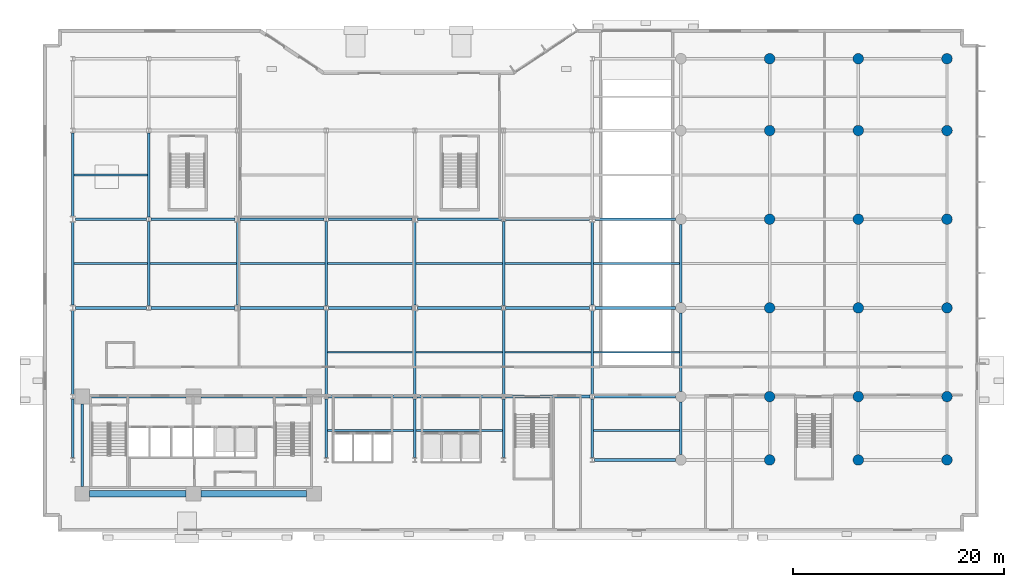
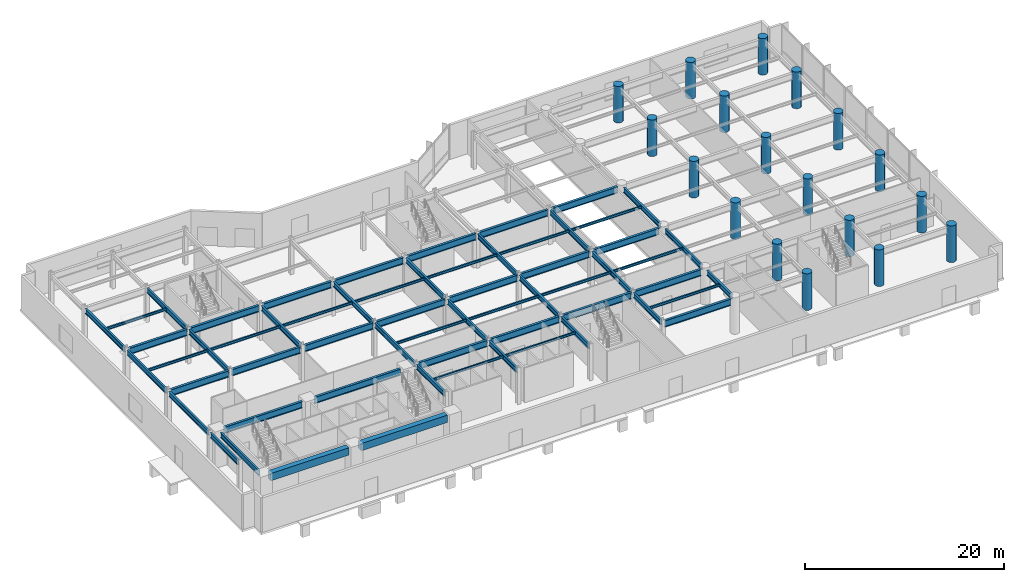
# One storey, part 4 of 26: 61 beams, 18 columns.
"""IFC4 building model written with IfcOpenShell, lengths in metres."""

from ifc_helpers import new_model, si_unit, direction, frame, origin, origin_2d, place, context, subcontext, project, spatial, rectangle, circle, i_section, extrude, material, material_profile, profile_set, type_object, element, save


model = new_model("IFC4")

# Units and contexts
model_context = context("Model", 3, precision=1e-05, world=origin(), true_north=direction((0.0, 1.0)))
body_context = subcontext(model_context, "Body", "Model", "MODEL_VIEW")
ifc_project = project(units=[si_unit("LENGTHUNIT", "METRE"), si_unit("AREAUNIT", "SQUARE_METRE"), si_unit("VOLUMEUNIT", "CUBIC_METRE"), si_unit("PLANEANGLEUNIT", "RADIAN"), si_unit("MASSUNIT", "GRAM", prefix="KILO")], contexts=[model_context])

# Site, building, storey
site_placement = place(None, origin())
site = spatial("IfcSite", under=ifc_project, at=site_placement, CompositionType="ELEMENT")
building_placement = place(site_placement, origin())
building = spatial("IfcBuilding", under=site, at=building_placement, Name="Varnakote Quay Hospital", CompositionType="ELEMENT")
storey_placement = place(building_placement, origin())
storey = spatial("IfcBuildingStorey", under=building, at=storey_placement, Name="L00", CompositionType="ELEMENT", Elevation=0.0)

# Columns
ifc_material_1 = material(Name="Concrete N65 (f'c 65 MPa)", Category="concrete")
ifc_material_profile_1 = material_profile(ifc_material_1, circle(Radius=0.5, at=origin_2d()), Name="RC-COL-D1000")
ifc_profile_set_1 = profile_set([ifc_material_profile_1], Name="Concrete N65 (f'c 65 MPa)")
column_type = type_object("IfcColumnType", Name="COL-RC-D1000", PredefinedType="COLUMN", material=ifc_profile_set_1)
for number, where, z_axis, x_axis, name in (
    (1, (67.199951171875, 6.0, 0.0), (0.0, 0.0, 1.0), (1.0, 0.0, 0.0), "L00 Structural Column C-67-6"),
    (2, (75.60009765625, 6.0, 0.0), (0.0, 0.0, 1.0), (1.0, 0.0, 0.0), "L00 Structural Column C-76-6"),
    (3, (84.0, 6.0, 0.0), (0.0, 0.0, 1.0), (1.0, 0.0, 0.0), "L00 Structural Column C-84-6"),
    (4, (67.199951171875, 12.0, 0.0), (0.0, 0.0, 1.0), (1.0, 0.0, 0.0), "L00 Structural Column C-67-12"),
    (5, (75.60009765625, 12.0, 0.0), (0.0, 0.0, 1.0), (1.0, 0.0, 0.0), "L00 Structural Column C-76-12"),
    (6, (84.0, 12.0, 0.0), (0.0, 0.0, 1.0), (1.0, 0.0, 0.0), "L00 Structural Column C-84-12"),
    (7, (67.199951171875, 20.39990234375, 0.0), (0.0, 0.0, 1.0), (1.0, 0.0, 0.0), "L00 Structural Column C-67-20"),
    (8, (75.60009765625, 20.39990234375, 0.0), (0.0, 0.0, 1.0), (1.0, 0.0, 0.0), "L00 Structural Column C-76-20"),
    (9, (84.0, 20.39990234375, 0.0), (0.0, 0.0, 1.0), (1.0, 0.0, 0.0), "L00 Structural Column C-84-20"),
    (10, (67.199951171875, 28.800048828125, 0.0), (0.0, 0.0, 1.0), (1.0, 0.0, 0.0), "L00 Structural Column C-67-29"),
    (11, (75.60009765625, 28.800048828125, 0.0), (0.0, 0.0, 1.0), (1.0, 0.0, 0.0), "L00 Structural Column C-76-29"),
    (12, (84.0, 28.800048828125, 0.0), (0.0, 0.0, 1.0), (1.0, 0.0, 0.0), "L00 Structural Column C-84-29"),
    (13, (67.199951171875, 37.199951171875, 0.0), (0.0, 0.0, 1.0), (1.0, 0.0, 0.0), "L00 Structural Column C-67-37"),
    (14, (75.60009765625, 37.199951171875, 0.0), (0.0, 0.0, 1.0), (1.0, 0.0, 0.0), "L00 Structural Column C-76-37"),
    (15, (84.0, 37.199951171875, 0.0), (0.0, 0.0, 1.0), (1.0, 0.0, 0.0), "L00 Structural Column C-84-37"),
    (16, (67.199951171875, 44.0, 0.0), (0.0, 0.0, 1.0), (1.0, 0.0, 0.0), "L00 Structural Column C-67-44"),
    (17, (75.60009765625, 44.0, 0.0), (0.0, 0.0, 1.0), (1.0, 0.0, 0.0), "L00 Structural Column C-76-44"),
    (18, (84.0, 44.0, 0.0), (0.0, 0.0, 1.0), (1.0, 0.0, 0.0), "L00 Structural Column C-84-44"),
):
    element("IfcColumn", number, at=place(storey_placement, frame(where, z_axis=z_axis, x_axis=x_axis)), inside=storey, type_object=column_type, Name=name, PredefinedType="COLUMN", context=body_context, shape_type="SweptSolid", body=[
        extrude(circle(Radius=0.5, at=origin_2d()), origin(), (0.0, 0.0, 1.0), 4.5),
    ])

# Beams
ifc_material_2 = material(Name="Concrete N65 (f'c 65 MPa)", Category="concrete")
ifc_material_profile_2 = material_profile(ifc_material_2, rectangle(XDim=0.60009765625, YDim=0.89990234375, at=origin_2d()), Name="RC-BM-600x900")
ifc_profile_set_2 = profile_set([ifc_material_profile_2], Name="Concrete N65 (f'c 65 MPa)")
beam_type_1 = type_object("IfcBeamType", Name="BM-RC-600x900", PredefinedType="BEAM", material=ifc_profile_set_2)
beam_1_placement = place(storey_placement, frame((2.800048828125, 2.800048828125, 3.800048828125), z_axis=(1.0, 0.0, 0.0), x_axis=(0.0, 1.0, 0.0)))
element("IfcBeam", 19, at=beam_1_placement, inside=storey, type_object=beam_type_1, Name="L00 Core Rear Coupling Beam", PredefinedType="BEAM", context=body_context, shape_type="SweptSolid", body=[
    extrude(rectangle(XDim=0.60009765625, YDim=0.89990234375, at=origin_2d()), origin(), (0.0, 0.0, 1.0), 9.119873046875),
])
beam_2_placement = place(storey_placement, frame((13.320068359375, 2.800048828125, 3.800048828125), z_axis=(1.0, 0.0, 0.0), x_axis=(0.0, 1.0, 0.0)))
element("IfcBeam", 20, at=beam_2_placement, inside=storey, type_object=beam_type_1, Name="L00 Core Rear Coupling Beam", PredefinedType="BEAM", context=body_context, shape_type="SweptSolid", body=[
    extrude(rectangle(XDim=0.60009765625, YDim=0.89990234375, at=origin_2d()), origin(), (0.0, 0.0, 1.0), 10.030029296875),
])
ifc_material_3 = material(Name="Structural steel AS/NZS 3679.1 Grade 350 L0 (fy 340 MPa)", Category="steel")
ifc_material_profile_3 = material_profile(ifc_material_3, i_section(OverallWidth=0.22802734375, OverallDepth=0.60205078125, WebThickness=0.010498046875, FlangeThickness=0.014892578125, FilletRadius=0.013916015625, at=origin_2d()), Name="610UB101")
ifc_profile_set_3 = profile_set([ifc_material_profile_3], Name="Structural steel AS/NZS 3679.1 Grade 350 L0 (fy 340 MPa)")
beam_type_2 = type_object("IfcBeamType", Name="BM-STL-610UB101", PredefinedType="BEAM", material=ifc_profile_set_3)
beam_3_placement = place(storey_placement, frame((1.199951171875, 6.2099609375, 3.948974609375), z_axis=(0.0, 1.0, 0.0), x_axis=(-1.0, 0.0, 0.0)))
element("IfcBeam", 21, at=beam_3_placement, inside=storey, type_object=beam_type_2, Name="L00 Primary Tie Beam", PredefinedType="BEAM", context=body_context, shape_type="SweptSolid", body=[
    extrude(i_section(OverallWidth=0.22802734375, OverallDepth=0.60205078125, WebThickness=0.010498046875, FlangeThickness=0.014892578125, FilletRadius=0.013916015625, at=origin_2d()), origin(), (0.0, 0.0, 1.0), 5.580078125),
])
beam_4_placement = place(storey_placement, frame((1.199951171875, 12.2099609375, 3.948974609375), z_axis=(0.0, 1.0, 0.0), x_axis=(-1.0, 0.0, 0.0)))
element("IfcBeam", 22, at=beam_4_placement, inside=storey, type_object=beam_type_2, Name="L00 Primary Tie Beam", PredefinedType="BEAM", context=body_context, shape_type="SweptSolid", body=[
    extrude(i_section(OverallWidth=0.22802734375, OverallDepth=0.60205078125, WebThickness=0.010498046875, FlangeThickness=0.014892578125, FilletRadius=0.013916015625, at=origin_2d()), origin(), (0.0, 0.0, 1.0), 7.925048828125),
])
beam_5_placement = place(storey_placement, frame((1.199951171875, 20.6650390625, 3.948974609375), z_axis=(0.0, 1.0, 0.0), x_axis=(-1.0, 0.0, 0.0)))
element("IfcBeam", 23, at=beam_5_placement, inside=storey, type_object=beam_type_2, Name="L00 Primary Tie Beam", PredefinedType="BEAM", context=body_context, shape_type="SweptSolid", body=[
    extrude(i_section(OverallWidth=0.22802734375, OverallDepth=0.60205078125, WebThickness=0.010498046875, FlangeThickness=0.014892578125, FilletRadius=0.013916015625, at=origin_2d()), origin(), (0.0, 0.0, 1.0), 7.869873046875),
])
beam_6_placement = place(storey_placement, frame((1.199951171875, 29.06494140625, 3.948974609375), z_axis=(0.0, 1.0, 0.0), x_axis=(-1.0, 0.0, 0.0)))
element("IfcBeam", 24, at=beam_6_placement, inside=storey, type_object=beam_type_2, Name="L00 Primary Tie Beam", PredefinedType="BEAM", context=body_context, shape_type="SweptSolid", body=[
    extrude(i_section(OverallWidth=0.22802734375, OverallDepth=0.60205078125, WebThickness=0.010498046875, FlangeThickness=0.014892578125, FilletRadius=0.013916015625, at=origin_2d()), origin(), (0.0, 0.0, 1.0), 7.925048828125),
])
beam_7_placement = place(storey_placement, frame((2.10009765625, 3.5, 3.948974609375), z_axis=(0.0, 1.0, 0.0), x_axis=(-1.0, 0.0, 0.0)))
element("IfcBeam", 25, at=beam_7_placement, inside=storey, type_object=beam_type_2, Name="L00 Primary Tie Beam", PredefinedType="BEAM", context=body_context, shape_type="SweptSolid", body=[
    extrude(i_section(OverallWidth=0.22802734375, OverallDepth=0.60205078125, WebThickness=0.010498046875, FlangeThickness=0.014892578125, FilletRadius=0.013916015625, at=origin_2d()), origin(), (0.0, 0.0, 1.0), 7.800048828125),
])
for number, where, z_axis, x_axis, name in (
    (26, (8.39990234375, 20.610107421875, 3.948974609375), (0.0, 1.0, 0.0), (-1.0, 0.0, 0.0), "L00 Primary Tie Beam"),
    (27, (8.39990234375, 29.010009765625, 3.948974609375), (0.0, 1.0, 0.0), (-1.0, 0.0, 0.0), "L00 Primary Tie Beam"),
):
    element("IfcBeam", number, at=place(storey_placement, frame(where, z_axis=z_axis, x_axis=x_axis)), inside=storey, type_object=beam_type_2, Name=name, PredefinedType="BEAM", context=body_context, shape_type="SweptSolid", body=[
        extrude(i_section(OverallWidth=0.22802734375, OverallDepth=0.60205078125, WebThickness=0.010498046875, FlangeThickness=0.014892578125, FilletRadius=0.013916015625, at=origin_2d()), origin(), (0.0, 0.0, 1.0), 7.97998046875),
    ])
beam_8_placement = place(storey_placement, frame((16.800048828125, 20.6650390625, 3.948974609375), z_axis=(0.0, 1.0, 0.0), x_axis=(-1.0, 0.0, 0.0)))
element("IfcBeam", 28, at=beam_8_placement, inside=storey, type_object=beam_type_2, Name="L00 Primary Tie Beam", PredefinedType="BEAM", context=body_context, shape_type="SweptSolid", body=[
    extrude(i_section(OverallWidth=0.22802734375, OverallDepth=0.60205078125, WebThickness=0.010498046875, FlangeThickness=0.014892578125, FilletRadius=0.013916015625, at=origin_2d()), origin(), (0.0, 0.0, 1.0), 7.869873046875),
])
beam_9_placement = place(storey_placement, frame((25.199951171875, 6.2099609375, 3.948974609375), z_axis=(0.0, 1.0, 0.0), x_axis=(-1.0, 0.0, 0.0)))
element("IfcBeam", 29, at=beam_9_placement, inside=storey, type_object=beam_type_2, Name="L00 Primary Tie Beam", PredefinedType="BEAM", context=body_context, shape_type="SweptSolid", body=[
    extrude(i_section(OverallWidth=0.22802734375, OverallDepth=0.60205078125, WebThickness=0.010498046875, FlangeThickness=0.014892578125, FilletRadius=0.013916015625, at=origin_2d()), origin(), (0.0, 0.0, 1.0), 5.580078125),
])
for number, where, z_axis, x_axis, name in (
    (30, (25.199951171875, 12.2099609375, 3.948974609375), (0.0, 1.0, 0.0), (-1.0, 0.0, 0.0), "L00 Primary Tie Beam"),
    (31, (25.199951171875, 20.610107421875, 3.948974609375), (0.0, 1.0, 0.0), (-1.0, 0.0, 0.0), "L00 Primary Tie Beam"),
):
    element("IfcBeam", number, at=place(storey_placement, frame(where, z_axis=z_axis, x_axis=x_axis)), inside=storey, type_object=beam_type_2, Name=name, PredefinedType="BEAM", context=body_context, shape_type="SweptSolid", body=[
        extrude(i_section(OverallWidth=0.22802734375, OverallDepth=0.60205078125, WebThickness=0.010498046875, FlangeThickness=0.014892578125, FilletRadius=0.013916015625, at=origin_2d()), origin(), (0.0, 0.0, 1.0), 7.97998046875),
    ])
beam_10_placement = place(storey_placement, frame((33.60009765625, 6.2099609375, 3.948974609375), z_axis=(0.0, 1.0, 0.0), x_axis=(-1.0, 0.0, 0.0)))
element("IfcBeam", 32, at=beam_10_placement, inside=storey, type_object=beam_type_2, Name="L00 Primary Tie Beam", PredefinedType="BEAM", context=body_context, shape_type="SweptSolid", body=[
    extrude(i_section(OverallWidth=0.22802734375, OverallDepth=0.60205078125, WebThickness=0.010498046875, FlangeThickness=0.014892578125, FilletRadius=0.013916015625, at=origin_2d()), origin(), (0.0, 0.0, 1.0), 5.580078125),
])
beam_11_placement = place(storey_placement, frame((33.60009765625, 12.2099609375, 3.948974609375), z_axis=(0.0, 1.0, 0.0), x_axis=(-1.0, 0.0, 0.0)))
element("IfcBeam", 33, at=beam_11_placement, inside=storey, type_object=beam_type_2, Name="L00 Primary Tie Beam", PredefinedType="BEAM", context=body_context, shape_type="SweptSolid", body=[
    extrude(i_section(OverallWidth=0.22802734375, OverallDepth=0.60205078125, WebThickness=0.010498046875, FlangeThickness=0.014892578125, FilletRadius=0.013916015625, at=origin_2d()), origin(), (0.0, 0.0, 1.0), 7.925048828125),
])
beam_12_placement = place(storey_placement, frame((33.60009765625, 20.6650390625, 3.948974609375), z_axis=(0.0, 1.0, 0.0), x_axis=(-1.0, 0.0, 0.0)))
element("IfcBeam", 34, at=beam_12_placement, inside=storey, type_object=beam_type_2, Name="L00 Primary Tie Beam", PredefinedType="BEAM", context=body_context, shape_type="SweptSolid", body=[
    extrude(i_section(OverallWidth=0.22802734375, OverallDepth=0.60205078125, WebThickness=0.010498046875, FlangeThickness=0.014892578125, FilletRadius=0.013916015625, at=origin_2d()), origin(), (0.0, 0.0, 1.0), 7.869873046875),
])
beam_13_placement = place(storey_placement, frame((42.0, 6.2099609375, 3.948974609375), z_axis=(0.0, 1.0, 0.0), x_axis=(-1.0, 0.0, 0.0)))
element("IfcBeam", 35, at=beam_13_placement, inside=storey, type_object=beam_type_2, Name="L00 Primary Tie Beam", PredefinedType="BEAM", context=body_context, shape_type="SweptSolid", body=[
    extrude(i_section(OverallWidth=0.22802734375, OverallDepth=0.60205078125, WebThickness=0.010498046875, FlangeThickness=0.014892578125, FilletRadius=0.013916015625, at=origin_2d()), origin(), (0.0, 0.0, 1.0), 5.580078125),
])
for number, where, z_axis, x_axis, name in (
    (36, (42.0, 12.2099609375, 3.948974609375), (0.0, 1.0, 0.0), (-1.0, 0.0, 0.0), "L00 Primary Tie Beam"),
    (37, (42.0, 20.610107421875, 3.948974609375), (0.0, 1.0, 0.0), (-1.0, 0.0, 0.0), "L00 Primary Tie Beam"),
):
    element("IfcBeam", number, at=place(storey_placement, frame(where, z_axis=z_axis, x_axis=x_axis)), inside=storey, type_object=beam_type_2, Name=name, PredefinedType="BEAM", context=body_context, shape_type="SweptSolid", body=[
        extrude(i_section(OverallWidth=0.22802734375, OverallDepth=0.60205078125, WebThickness=0.010498046875, FlangeThickness=0.014892578125, FilletRadius=0.013916015625, at=origin_2d()), origin(), (0.0, 0.0, 1.0), 7.97998046875),
    ])
beam_14_placement = place(storey_placement, frame((50.39990234375, 6.2099609375, 3.948974609375), z_axis=(0.0, 1.0, 0.0), x_axis=(-1.0, 0.0, 0.0)))
element("IfcBeam", 38, at=beam_14_placement, inside=storey, type_object=beam_type_2, Name="L00 Primary Tie Beam", PredefinedType="BEAM", context=body_context, shape_type="SweptSolid", body=[
    extrude(i_section(OverallWidth=0.22802734375, OverallDepth=0.60205078125, WebThickness=0.010498046875, FlangeThickness=0.014892578125, FilletRadius=0.013916015625, at=origin_2d()), origin(), (0.0, 0.0, 1.0), 5.580078125),
])
beam_15_placement = place(storey_placement, frame((50.39990234375, 12.2099609375, 3.948974609375), z_axis=(0.0, 1.0, 0.0), x_axis=(-1.0, 0.0, 0.0)))
element("IfcBeam", 39, at=beam_15_placement, inside=storey, type_object=beam_type_2, Name="L00 Primary Tie Beam", PredefinedType="BEAM", context=body_context, shape_type="SweptSolid", body=[
    extrude(i_section(OverallWidth=0.22802734375, OverallDepth=0.60205078125, WebThickness=0.010498046875, FlangeThickness=0.014892578125, FilletRadius=0.013916015625, at=origin_2d()), origin(), (0.0, 0.0, 1.0), 7.925048828125),
])
beam_16_placement = place(storey_placement, frame((50.39990234375, 20.6650390625, 3.948974609375), z_axis=(0.0, 1.0, 0.0), x_axis=(-1.0, 0.0, 0.0)))
element("IfcBeam", 40, at=beam_16_placement, inside=storey, type_object=beam_type_2, Name="L00 Primary Tie Beam", PredefinedType="BEAM", context=body_context, shape_type="SweptSolid", body=[
    extrude(i_section(OverallWidth=0.22802734375, OverallDepth=0.60205078125, WebThickness=0.010498046875, FlangeThickness=0.014892578125, FilletRadius=0.013916015625, at=origin_2d()), origin(), (0.0, 0.0, 1.0), 7.869873046875),
])
beam_17_placement = place(storey_placement, frame((58.800048828125, 6.5, 3.948974609375), z_axis=(0.0, 1.0, 0.0), x_axis=(-1.0, 0.0, 0.0)))
element("IfcBeam", 41, at=beam_17_placement, inside=storey, type_object=beam_type_2, Name="L00 Primary Tie Beam", PredefinedType="BEAM", context=body_context, shape_type="SweptSolid", body=[
    extrude(i_section(OverallWidth=0.22802734375, OverallDepth=0.60205078125, WebThickness=0.010498046875, FlangeThickness=0.014892578125, FilletRadius=0.013916015625, at=origin_2d()), origin(), (0.0, 0.0, 1.0), 5.0),
])
beam_18_placement = place(storey_placement, frame((58.800048828125, 12.5, 3.948974609375), z_axis=(0.0, 1.0, 0.0), x_axis=(-1.0, 0.0, 0.0)))
element("IfcBeam", 42, at=beam_18_placement, inside=storey, type_object=beam_type_2, Name="L00 Primary Tie Beam", PredefinedType="BEAM", context=body_context, shape_type="SweptSolid", body=[
    extrude(i_section(OverallWidth=0.22802734375, OverallDepth=0.60205078125, WebThickness=0.010498046875, FlangeThickness=0.014892578125, FilletRadius=0.013916015625, at=origin_2d()), origin(), (0.0, 0.0, 1.0), 7.39990234375),
])
beam_19_placement = place(storey_placement, frame((58.800048828125, 20.89990234375, 3.948974609375), z_axis=(0.0, 1.0, 0.0), x_axis=(-1.0, 0.0, 0.0)))
element("IfcBeam", 43, at=beam_19_placement, inside=storey, type_object=beam_type_2, Name="L00 Primary Tie Beam", PredefinedType="BEAM", context=body_context, shape_type="SweptSolid", body=[
    extrude(i_section(OverallWidth=0.22802734375, OverallDepth=0.60205078125, WebThickness=0.010498046875, FlangeThickness=0.014892578125, FilletRadius=0.013916015625, at=origin_2d()), origin(), (0.0, 0.0, 1.0), 7.400146484375),
])
ifc_material_4 = material(Name="Structural steel AS/NZS 3678 Grade 350 (fy 340 MPa)", Category="steel")
ifc_material_profile_4 = material_profile(ifc_material_4, i_section(OverallWidth=0.27490234375, OverallDepth=0.800048828125, WebThickness=0.010009765625, FlangeThickness=0.02001953125, at=origin_2d()), Name="800WB146")
ifc_profile_set_4 = profile_set([ifc_material_profile_4], Name="Structural steel AS/NZS 3678 Grade 350 (fy 340 MPa)")
beam_type_3 = type_object("IfcBeamType", Name="BM-STL-800WB146", PredefinedType="BEAM", material=ifc_profile_set_4)
beam_20_placement = place(storey_placement, frame((50.60009765625, 6.0, 3.85009765625), z_axis=(1.0, 0.0, 0.0), x_axis=(0.0, 1.0, 0.0)))
element("IfcBeam", 44, at=beam_20_placement, inside=storey, type_object=beam_type_3, Name="L00 Primary Floor Beam", PredefinedType="BEAM", context=body_context, shape_type="SweptSolid", body=[
    extrude(i_section(OverallWidth=0.27490234375, OverallDepth=0.800048828125, WebThickness=0.010009765625, FlangeThickness=0.02001953125, at=origin_2d()), origin(), (0.0, 0.0, 1.0), 7.699951171875),
])
beam_21_placement = place(storey_placement, frame((2.800048828125, 12.0, 3.85009765625), z_axis=(1.0, 0.0, 0.0), x_axis=(0.0, 1.0, 0.0)))
element("IfcBeam", 45, at=beam_21_placement, inside=storey, type_object=beam_type_3, Name="L00 Primary Floor Beam", PredefinedType="BEAM", context=body_context, shape_type="SweptSolid", body=[
    extrude(i_section(OverallWidth=0.27490234375, OverallDepth=0.800048828125, WebThickness=0.010009765625, FlangeThickness=0.02001953125, at=origin_2d()), origin(), (0.0, 0.0, 1.0), 9.119873046875),
])
beam_22_placement = place(storey_placement, frame((13.320068359375, 12.0, 3.85009765625), z_axis=(1.0, 0.0, 0.0), x_axis=(0.0, 1.0, 0.0)))
element("IfcBeam", 46, at=beam_22_placement, inside=storey, type_object=beam_type_3, Name="L00 Primary Floor Beam", PredefinedType="BEAM", context=body_context, shape_type="SweptSolid", body=[
    extrude(i_section(OverallWidth=0.27490234375, OverallDepth=0.800048828125, WebThickness=0.010009765625, FlangeThickness=0.02001953125, at=origin_2d()), origin(), (0.0, 0.0, 1.0), 10.030029296875),
])
for number, where, z_axis, x_axis, name in (
    (47, (25.39990234375, 12.0, 3.85009765625), (1.0, 0.0, 0.0), (0.0, 1.0, 0.0), "L00 Primary Floor Beam"),
    (48, (33.800048828125, 12.0, 3.85009765625), (1.0, 0.0, 0.0), (0.0, 1.0, 0.0), "L00 Primary Floor Beam"),
    (49, (42.199951171875, 12.0, 3.85009765625), (1.0, 0.0, 0.0), (0.0, 1.0, 0.0), "L00 Primary Floor Beam"),
):
    element("IfcBeam", number, at=place(storey_placement, frame(where, z_axis=z_axis, x_axis=x_axis)), inside=storey, type_object=beam_type_3, Name=name, PredefinedType="BEAM", context=body_context, shape_type="SweptSolid", body=[
        extrude(i_section(OverallWidth=0.27490234375, OverallDepth=0.800048828125, WebThickness=0.010009765625, FlangeThickness=0.02001953125, at=origin_2d()), origin(), (0.0, 0.0, 1.0), 8.0),
    ])
beam_23_placement = place(storey_placement, frame((50.60009765625, 12.0, 3.85009765625), z_axis=(1.0, 0.0, 0.0), x_axis=(0.0, 1.0, 0.0)))
element("IfcBeam", 50, at=beam_23_placement, inside=storey, type_object=beam_type_3, Name="L00 Primary Floor Beam", PredefinedType="BEAM", context=body_context, shape_type="SweptSolid", body=[
    extrude(i_section(OverallWidth=0.27490234375, OverallDepth=0.800048828125, WebThickness=0.010009765625, FlangeThickness=0.02001953125, at=origin_2d()), origin(), (0.0, 0.0, 1.0), 7.699951171875),
])
beam_24_placement = place(storey_placement, frame((1.449951171875, 20.39990234375, 3.85009765625), z_axis=(1.0, 0.0, 0.0), x_axis=(0.0, 1.0, 0.0)))
element("IfcBeam", 51, at=beam_24_placement, inside=storey, type_object=beam_type_3, Name="L00 Primary Floor Beam", PredefinedType="BEAM", context=body_context, shape_type="SweptSolid", body=[
    extrude(i_section(OverallWidth=0.27490234375, OverallDepth=0.800048828125, WebThickness=0.010009765625, FlangeThickness=0.02001953125, at=origin_2d()), origin(), (0.0, 0.0, 1.0), 6.75),
])
for number, where, z_axis, x_axis, name in (
    (52, (8.60009765625, 20.39990234375, 3.85009765625), (1.0, 0.0, 0.0), (0.0, 1.0, 0.0), "L00 Primary Floor Beam"),
    (53, (17.050048828125, 20.39990234375, 3.85009765625), (1.0, 0.0, 0.0), (0.0, 1.0, 0.0), "L00 Primary Floor Beam"),
):
    element("IfcBeam", number, at=place(storey_placement, frame(where, z_axis=z_axis, x_axis=x_axis)), inside=storey, type_object=beam_type_3, Name=name, PredefinedType="BEAM", context=body_context, shape_type="SweptSolid", body=[
        extrude(i_section(OverallWidth=0.27490234375, OverallDepth=0.800048828125, WebThickness=0.010009765625, FlangeThickness=0.02001953125, at=origin_2d()), origin(), (0.0, 0.0, 1.0), 7.949951171875),
    ])
beam_25_placement = place(storey_placement, frame((25.39990234375, 20.39990234375, 3.85009765625), z_axis=(1.0, 0.0, 0.0), x_axis=(0.0, 1.0, 0.0)))
element("IfcBeam", 54, at=beam_25_placement, inside=storey, type_object=beam_type_3, Name="L00 Primary Floor Beam", PredefinedType="BEAM", context=body_context, shape_type="SweptSolid", body=[
    extrude(i_section(OverallWidth=0.27490234375, OverallDepth=0.800048828125, WebThickness=0.010009765625, FlangeThickness=0.02001953125, at=origin_2d()), origin(), (0.0, 0.0, 1.0), 7.9501953125),
])
for number, where, z_axis, x_axis, name in (
    (55, (33.85009765625, 20.39990234375, 3.85009765625), (1.0, 0.0, 0.0), (0.0, 1.0, 0.0), "L00 Primary Floor Beam"),
    (56, (42.199951171875, 20.39990234375, 3.85009765625), (1.0, 0.0, 0.0), (0.0, 1.0, 0.0), "L00 Primary Floor Beam"),
):
    element("IfcBeam", number, at=place(storey_placement, frame(where, z_axis=z_axis, x_axis=x_axis)), inside=storey, type_object=beam_type_3, Name=name, PredefinedType="BEAM", context=body_context, shape_type="SweptSolid", body=[
        extrude(i_section(OverallWidth=0.27490234375, OverallDepth=0.800048828125, WebThickness=0.010009765625, FlangeThickness=0.02001953125, at=origin_2d()), origin(), (0.0, 0.0, 1.0), 7.949951171875),
    ])
beam_26_placement = place(storey_placement, frame((50.64990234375, 20.39990234375, 3.85009765625), z_axis=(1.0, 0.0, 0.0), x_axis=(0.0, 1.0, 0.0)))
element("IfcBeam", 57, at=beam_26_placement, inside=storey, type_object=beam_type_3, Name="L00 Primary Floor Beam", PredefinedType="BEAM", context=body_context, shape_type="SweptSolid", body=[
    extrude(i_section(OverallWidth=0.27490234375, OverallDepth=0.800048828125, WebThickness=0.010009765625, FlangeThickness=0.02001953125, at=origin_2d()), origin(), (0.0, 0.0, 1.0), 7.650146484375),
])
beam_27_placement = place(storey_placement, frame((1.449951171875, 28.800048828125, 3.85009765625), z_axis=(1.0, 0.0, 0.0), x_axis=(0.0, 1.0, 0.0)))
element("IfcBeam", 58, at=beam_27_placement, inside=storey, type_object=beam_type_3, Name="L00 Primary Floor Beam", PredefinedType="BEAM", context=body_context, shape_type="SweptSolid", body=[
    extrude(i_section(OverallWidth=0.27490234375, OverallDepth=0.800048828125, WebThickness=0.010009765625, FlangeThickness=0.02001953125, at=origin_2d()), origin(), (0.0, 0.0, 1.0), 6.75),
])
for number, where, z_axis, x_axis, name in (
    (59, (8.60009765625, 28.800048828125, 3.85009765625), (1.0, 0.0, 0.0), (0.0, 1.0, 0.0), "L00 Primary Floor Beam"),
    (60, (17.050048828125, 28.800048828125, 3.85009765625), (1.0, 0.0, 0.0), (0.0, 1.0, 0.0), "L00 Primary Floor Beam"),
):
    element("IfcBeam", number, at=place(storey_placement, frame(where, z_axis=z_axis, x_axis=x_axis)), inside=storey, type_object=beam_type_3, Name=name, PredefinedType="BEAM", context=body_context, shape_type="SweptSolid", body=[
        extrude(i_section(OverallWidth=0.27490234375, OverallDepth=0.800048828125, WebThickness=0.010009765625, FlangeThickness=0.02001953125, at=origin_2d()), origin(), (0.0, 0.0, 1.0), 7.949951171875),
    ])
beam_28_placement = place(storey_placement, frame((25.39990234375, 28.800048828125, 3.85009765625), z_axis=(1.0, 0.0, 0.0), x_axis=(0.0, 1.0, 0.0)))
element("IfcBeam", 61, at=beam_28_placement, inside=storey, type_object=beam_type_3, Name="L00 Primary Floor Beam", PredefinedType="BEAM", context=body_context, shape_type="SweptSolid", body=[
    extrude(i_section(OverallWidth=0.27490234375, OverallDepth=0.800048828125, WebThickness=0.010009765625, FlangeThickness=0.02001953125, at=origin_2d()), origin(), (0.0, 0.0, 1.0), 7.9501953125),
])
for number, where, z_axis, x_axis, name in (
    (62, (33.85009765625, 28.800048828125, 3.85009765625), (1.0, 0.0, 0.0), (0.0, 1.0, 0.0), "L00 Primary Floor Beam"),
    (63, (42.199951171875, 28.800048828125, 3.85009765625), (1.0, 0.0, 0.0), (0.0, 1.0, 0.0), "L00 Primary Floor Beam"),
):
    element("IfcBeam", number, at=place(storey_placement, frame(where, z_axis=z_axis, x_axis=x_axis)), inside=storey, type_object=beam_type_3, Name=name, PredefinedType="BEAM", context=body_context, shape_type="SweptSolid", body=[
        extrude(i_section(OverallWidth=0.27490234375, OverallDepth=0.800048828125, WebThickness=0.010009765625, FlangeThickness=0.02001953125, at=origin_2d()), origin(), (0.0, 0.0, 1.0), 7.949951171875),
    ])
beam_29_placement = place(storey_placement, frame((50.64990234375, 28.800048828125, 3.85009765625), z_axis=(1.0, 0.0, 0.0), x_axis=(0.0, 1.0, 0.0)))
element("IfcBeam", 64, at=beam_29_placement, inside=storey, type_object=beam_type_3, Name="L00 Primary Floor Beam", PredefinedType="BEAM", context=body_context, shape_type="SweptSolid", body=[
    extrude(i_section(OverallWidth=0.27490234375, OverallDepth=0.800048828125, WebThickness=0.010009765625, FlangeThickness=0.02001953125, at=origin_2d()), origin(), (0.0, 0.0, 1.0), 7.650146484375),
])
ifc_material_5 = material(Name="Structural steel AS/NZS 3679.1 Grade 350 L0 (fy 340 MPa)", Category="steel")
ifc_material_profile_5 = material_profile(ifc_material_5, i_section(OverallWidth=0.1650390625, OverallDepth=0.303955078125, WebThickness=0.006103515625, FlangeThickness=0.01025390625, FilletRadius=0.011474609375, at=origin_2d()), Name="310UB40.4")
ifc_profile_set_5 = profile_set([ifc_material_profile_5], Name="Structural steel AS/NZS 3679.1 Grade 350 L0 (fy 340 MPa)")
beam_type_4 = type_object("IfcBeamType", Name="JST-STL-310UB40-4", PredefinedType="JOIST", material=ifc_profile_set_5)
beam_30_placement = place(storey_placement, frame((25.31396484375, 8.800048828125, 4.097900390625), z_axis=(1.0, 0.0, 0.0), x_axis=(0.0, 1.0, 0.0)))
element("IfcBeam", 65, at=beam_30_placement, inside=storey, type_object=beam_type_4, Name="L00 Composite Floor Joist", PredefinedType="JOIST", context=body_context, shape_type="SweptSolid", body=[
    extrude(i_section(OverallWidth=0.1650390625, OverallDepth=0.303955078125, WebThickness=0.006103515625, FlangeThickness=0.01025390625, FilletRadius=0.011474609375, at=origin_2d()), origin(), (0.0, 0.0, 1.0), 8.172119140625),
])
beam_31_placement = place(storey_placement, frame((33.714111328125, 8.800048828125, 4.097900390625), z_axis=(1.0, 0.0, 0.0), x_axis=(0.0, 1.0, 0.0)))
element("IfcBeam", 66, at=beam_31_placement, inside=storey, type_object=beam_type_4, Name="L00 Composite Floor Joist", PredefinedType="JOIST", context=body_context, shape_type="SweptSolid", body=[
    extrude(i_section(OverallWidth=0.1650390625, OverallDepth=0.303955078125, WebThickness=0.006103515625, FlangeThickness=0.01025390625, FilletRadius=0.011474609375, at=origin_2d()), origin(), (0.0, 0.0, 1.0), 8.171875),
])
for number, where, z_axis, x_axis, name in (
    (67, (50.513916015625, 8.800048828125, 4.097900390625), (1.0, 0.0, 0.0), (0.0, 1.0, 0.0), "L00 Composite Floor Joist"),
    (68, (25.31396484375, 16.199951171875, 4.097900390625), (1.0, 0.0, 0.0), (0.0, 1.0, 0.0), "L00 Composite Floor Joist"),
):
    element("IfcBeam", number, at=place(storey_placement, frame(where, z_axis=z_axis, x_axis=x_axis)), inside=storey, type_object=beam_type_4, Name=name, PredefinedType="JOIST", context=body_context, shape_type="SweptSolid", body=[
        extrude(i_section(OverallWidth=0.1650390625, OverallDepth=0.303955078125, WebThickness=0.006103515625, FlangeThickness=0.01025390625, FilletRadius=0.011474609375, at=origin_2d()), origin(), (0.0, 0.0, 1.0), 8.172119140625),
    ])
for number, where, z_axis, x_axis, name in (
    (69, (33.714111328125, 16.199951171875, 4.097900390625), (1.0, 0.0, 0.0), (0.0, 1.0, 0.0), "L00 Composite Floor Joist"),
    (70, (42.114013671875, 16.199951171875, 4.097900390625), (1.0, 0.0, 0.0), (0.0, 1.0, 0.0), "L00 Composite Floor Joist"),
):
    element("IfcBeam", number, at=place(storey_placement, frame(where, z_axis=z_axis, x_axis=x_axis)), inside=storey, type_object=beam_type_4, Name=name, PredefinedType="JOIST", context=body_context, shape_type="SweptSolid", body=[
        extrude(i_section(OverallWidth=0.1650390625, OverallDepth=0.303955078125, WebThickness=0.006103515625, FlangeThickness=0.01025390625, FilletRadius=0.011474609375, at=origin_2d()), origin(), (0.0, 0.0, 1.0), 8.171875),
    ])
beam_32_placement = place(storey_placement, frame((50.513916015625, 16.199951171875, 4.097900390625), z_axis=(1.0, 0.0, 0.0), x_axis=(0.0, 1.0, 0.0)))
element("IfcBeam", 71, at=beam_32_placement, inside=storey, type_object=beam_type_4, Name="L00 Composite Floor Joist", PredefinedType="JOIST", context=body_context, shape_type="SweptSolid", body=[
    extrude(i_section(OverallWidth=0.1650390625, OverallDepth=0.303955078125, WebThickness=0.006103515625, FlangeThickness=0.01025390625, FilletRadius=0.011474609375, at=origin_2d()), origin(), (0.0, 0.0, 1.0), 8.172119140625),
])
beam_33_placement = place(storey_placement, frame((1.31396484375, 24.60009765625, 4.097900390625), z_axis=(1.0, 0.0, 0.0), x_axis=(0.0, 1.0, 0.0)))
element("IfcBeam", 72, at=beam_33_placement, inside=storey, type_object=beam_type_4, Name="L00 Composite Floor Joist", PredefinedType="JOIST", context=body_context, shape_type="SweptSolid", body=[
    extrude(i_section(OverallWidth=0.1650390625, OverallDepth=0.303955078125, WebThickness=0.006103515625, FlangeThickness=0.01025390625, FilletRadius=0.011474609375, at=origin_2d()), origin(), (0.0, 0.0, 1.0), 6.971923828125),
])
beam_34_placement = place(storey_placement, frame((8.513916015625, 24.60009765625, 4.097900390625), z_axis=(1.0, 0.0, 0.0), x_axis=(0.0, 1.0, 0.0)))
element("IfcBeam", 73, at=beam_34_placement, inside=storey, type_object=beam_type_4, Name="L00 Composite Floor Joist", PredefinedType="JOIST", context=body_context, shape_type="SweptSolid", body=[
    extrude(i_section(OverallWidth=0.1650390625, OverallDepth=0.303955078125, WebThickness=0.006103515625, FlangeThickness=0.01025390625, FilletRadius=0.011474609375, at=origin_2d()), origin(), (0.0, 0.0, 1.0), 8.172119140625),
])
beam_35_placement = place(storey_placement, frame((16.9140625, 24.60009765625, 4.097900390625), z_axis=(1.0, 0.0, 0.0), x_axis=(0.0, 1.0, 0.0)))
element("IfcBeam", 74, at=beam_35_placement, inside=storey, type_object=beam_type_4, Name="L00 Composite Floor Joist", PredefinedType="JOIST", context=body_context, shape_type="SweptSolid", body=[
    extrude(i_section(OverallWidth=0.1650390625, OverallDepth=0.303955078125, WebThickness=0.006103515625, FlangeThickness=0.01025390625, FilletRadius=0.011474609375, at=origin_2d()), origin(), (0.0, 0.0, 1.0), 8.171875),
])
beam_36_placement = place(storey_placement, frame((25.31396484375, 24.60009765625, 4.097900390625), z_axis=(1.0, 0.0, 0.0), x_axis=(0.0, 1.0, 0.0)))
element("IfcBeam", 75, at=beam_36_placement, inside=storey, type_object=beam_type_4, Name="L00 Composite Floor Joist", PredefinedType="JOIST", context=body_context, shape_type="SweptSolid", body=[
    extrude(i_section(OverallWidth=0.1650390625, OverallDepth=0.303955078125, WebThickness=0.006103515625, FlangeThickness=0.01025390625, FilletRadius=0.011474609375, at=origin_2d()), origin(), (0.0, 0.0, 1.0), 8.172119140625),
])
for number, where, z_axis, x_axis, name in (
    (76, (33.714111328125, 24.60009765625, 4.097900390625), (1.0, 0.0, 0.0), (0.0, 1.0, 0.0), "L00 Composite Floor Joist"),
    (77, (42.114013671875, 24.60009765625, 4.097900390625), (1.0, 0.0, 0.0), (0.0, 1.0, 0.0), "L00 Composite Floor Joist"),
):
    element("IfcBeam", number, at=place(storey_placement, frame(where, z_axis=z_axis, x_axis=x_axis)), inside=storey, type_object=beam_type_4, Name=name, PredefinedType="JOIST", context=body_context, shape_type="SweptSolid", body=[
        extrude(i_section(OverallWidth=0.1650390625, OverallDepth=0.303955078125, WebThickness=0.006103515625, FlangeThickness=0.01025390625, FilletRadius=0.011474609375, at=origin_2d()), origin(), (0.0, 0.0, 1.0), 8.171875),
    ])
beam_37_placement = place(storey_placement, frame((50.513916015625, 24.60009765625, 4.097900390625), z_axis=(1.0, 0.0, 0.0), x_axis=(0.0, 1.0, 0.0)))
element("IfcBeam", 78, at=beam_37_placement, inside=storey, type_object=beam_type_4, Name="L00 Composite Floor Joist", PredefinedType="JOIST", context=body_context, shape_type="SweptSolid", body=[
    extrude(i_section(OverallWidth=0.1650390625, OverallDepth=0.303955078125, WebThickness=0.006103515625, FlangeThickness=0.01025390625, FilletRadius=0.011474609375, at=origin_2d()), origin(), (0.0, 0.0, 1.0), 8.172119140625),
])
beam_38_placement = place(storey_placement, frame((1.31396484375, 33.0, 4.097900390625), z_axis=(1.0, 0.0, 0.0), x_axis=(0.0, 1.0, 0.0)))
element("IfcBeam", 79, at=beam_38_placement, inside=storey, type_object=beam_type_4, Name="L00 Composite Floor Joist", PredefinedType="JOIST", context=body_context, shape_type="SweptSolid", body=[
    extrude(i_section(OverallWidth=0.1650390625, OverallDepth=0.303955078125, WebThickness=0.006103515625, FlangeThickness=0.01025390625, FilletRadius=0.011474609375, at=origin_2d()), origin(), (0.0, 0.0, 1.0), 6.971923828125),
])

save(model, "model.ifc")
